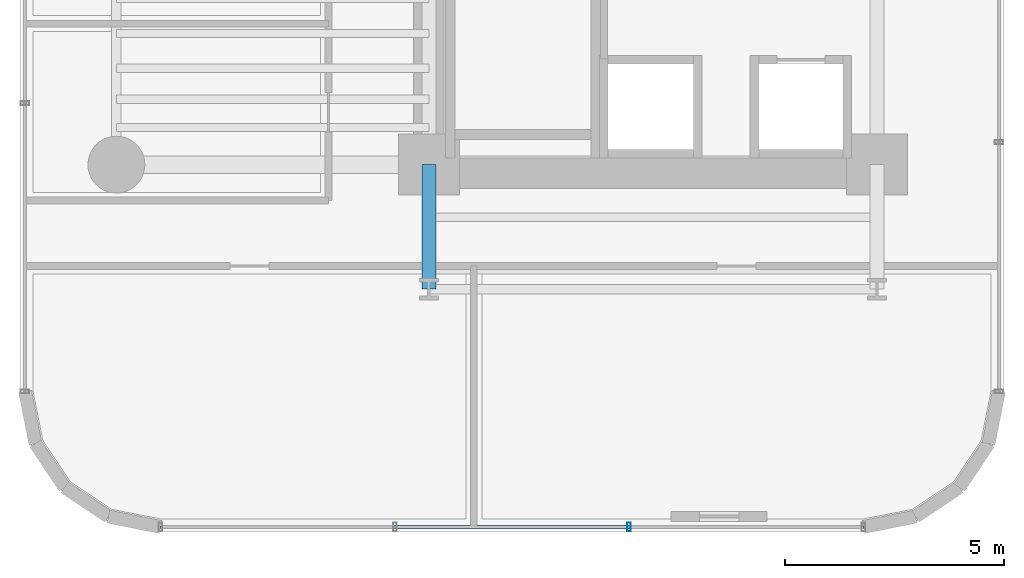
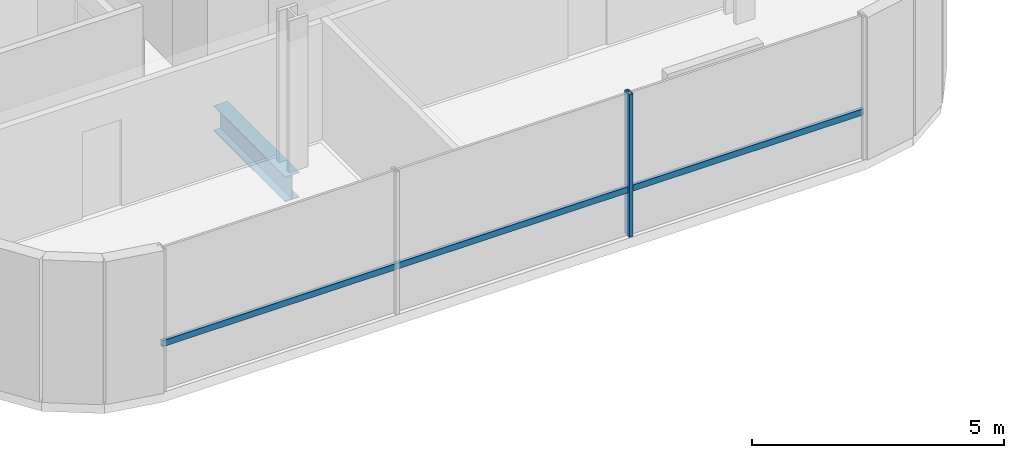
# One storey, part 3 of 38: 2 members, 1 beam, 1 element without a shape of its own.
"""IFC4 building model written with IfcOpenShell, lengths in metres."""

from ifc_helpers import new_model, si_unit, direction, frame, origin, origin_2d, place, context, subcontext, project, spatial, hollow_rectangle, i_section, extrude, source, transform, mapped, material, material_profile, profile_set, type_object, element, aggregate, save


model = new_model("IFC4")

# Units and contexts
model_context = context("Model", 3, precision=1e-05, world=origin(), true_north=direction((0.0, 1.0)))
body_context = subcontext(model_context, "Body", "Model", "MODEL_VIEW")
ifc_project = project(units=[si_unit("LENGTHUNIT", "METRE"), si_unit("AREAUNIT", "SQUARE_METRE"), si_unit("VOLUMEUNIT", "CUBIC_METRE"), si_unit("PLANEANGLEUNIT", "RADIAN"), si_unit("MASSUNIT", "GRAM", prefix="KILO")], contexts=[model_context])

# Site, building, storey
site_placement = place(None, origin())
site = spatial("IfcSite", under=ifc_project, at=site_placement, CompositionType="ELEMENT")
building_placement = place(site_placement, origin())
building = spatial("IfcBuilding", under=site, at=building_placement, Name="Valdorenza Pilgrim Sanctuary Tower", CompositionType="ELEMENT")
storey_placement = place(building_placement, frame((0.0, 0.0, 37.10009765625)))
storey = spatial("IfcBuildingStorey", under=building, at=storey_placement, Name="L08", CompositionType="ELEMENT", Elevation=37.10009765625)

# Beam
ifc_material_1 = material(Name="Steel ASTM A992 Grade 50", Category="steel")
ifc_material_profile_1 = material_profile(ifc_material_1, i_section(OverallWidth=0.323974609375, OverallDepth=0.611083984375, WebThickness=0.0126953125, FlangeThickness=0.01904296875, at=origin_2d()), Name="W24X104")
ifc_profile_set_1 = profile_set([ifc_material_profile_1], Name="Steel ASTM A992 Grade 50")
beam_type = type_object("IfcBeamType", Name="STR-BM-GRD-W24B", PredefinedType="BEAM", material=ifc_profile_set_1)
shared_shape_1 = source(origin(), body_context, "Body", "SweptSolid", [
    extrude(i_section(OverallWidth=0.323974609375, OverallDepth=0.611083984375, WebThickness=0.0126953125, FlangeThickness=0.01904296875, at=origin_2d()), origin(), (0.0, 0.0, 1.0), 2.849853515625),
])
beam_placement = place(storey_placement, frame((-22.64990234375, -13.449951171875, -0.545654296875), z_axis=(0.0, 1.0, 0.0), x_axis=(-1.0, 0.0, 0.0)))
element("IfcBeam", 1, at=beam_placement, inside=storey, type_object=beam_type, Name="L08 Floor Girder WA-S-LW", PredefinedType="BEAM", context=body_context, shape_type="MappedRepresentation", body=[
    mapped(shared_shape_1, transform((0.0, 0.0, 0.0), x_axis=(1.0, 0.0, 0.0), y_axis=(0.0, 1.0, 0.0), z_axis=(0.0, 0.0, 1.0), scale=1.0)),
])

# Curtain wall, members
ifc_material_2 = material(Name="Curtain-wall IGU glazing", Category="glass")
curtain_wall_type = type_object("IfcCurtainWallType", Name="CW-SYS-02", PredefinedType="NOTDEFINED", material=ifc_material_2)
curtain_wall_placement = place(storey_placement, origin())
curtain_wall = element("IfcCurtainWall", 2, at=curtain_wall_placement, inside=storey, type_object=curtain_wall_type, Name="L08 Curtain Wall CW-L08-1-46", PredefinedType="NOTDEFINED")
ifc_material_3 = material(Name="Anodised aluminium AW-6060", Category="aluminium")
ifc_material_profile_2 = material_profile(ifc_material_3, hollow_rectangle(XDim=0.0849609375, YDim=0.199951171875, WallThickness=0.0048828125, at=origin_2d()), Name="ALU-M 200x85x5")
ifc_profile_set_2 = profile_set([ifc_material_profile_2], Name="Anodised aluminium AW-6060")
member_type_1 = type_object("IfcMemberType", Name="CW-MUL-02", PredefinedType="MULLION", material=ifc_profile_set_2)
shared_shape_2 = source(origin(), body_context, "Body", "SweptSolid", [
    extrude(hollow_rectangle(XDim=0.0849609375, YDim=0.199951171875, WallThickness=0.0048828125, at=origin_2d()), origin(), (0.0, 0.0, 1.0), 3.4599609375),
])
member_1_placement = place(storey_placement, frame((-18.0703125, -18.889892578125, 0.0), z_axis=(0.0, 0.0, 1.0), x_axis=(-1.0, 0.0, 0.0)))
member_1 = element("IfcMember", 3, at=member_1_placement, type_object=member_type_1, Name="CW-L08-1-46 Mullion 2", PredefinedType="MULLION", context=body_context, shape_type="MappedRepresentation", body=[
    mapped(shared_shape_2, transform((0.0, 0.0, 0.0), x_axis=(1.0, 0.0, 0.0), y_axis=(0.0, 1.0, 0.0), z_axis=(0.0, 0.0, 1.0), scale=1.0)),
])
ifc_material_profile_3 = material_profile(ifc_material_3, hollow_rectangle(XDim=0.074951171875, YDim=0.14990234375, WallThickness=0.00390625, at=origin_2d()), Name="ALU-T 150x75x4")
ifc_profile_set_3 = profile_set([ifc_material_profile_3], Name="Anodised aluminium AW-6060")
member_type_2 = type_object("IfcMemberType", Name="CW-TRN-02", PredefinedType="USERDEFINED", material=ifc_profile_set_3)
shared_shape_3 = source(origin(), body_context, "Body", "SweptSolid", [
    extrude(hollow_rectangle(XDim=0.074951171875, YDim=0.14990234375, WallThickness=0.00390625, at=origin_2d()), origin(), (0.0, 0.0, 1.0), 16.07861328125),
])
member_2_placement = place(storey_placement, frame((-12.710693359375, -18.889892578125, 1.119873046875), z_axis=(-1.0, 0.0, 0.0), x_axis=(0.0, -1.0, 0.0)))
member_2 = element("IfcMember", 4, at=member_2_placement, type_object=member_type_2, Name="CW-L08-1-46 Transom 1", ObjectType="TRANSOM", PredefinedType="USERDEFINED", context=body_context, shape_type="MappedRepresentation", body=[
    mapped(shared_shape_3, transform((0.0, 0.0, 0.0), x_axis=(1.0, 0.0, 0.0), y_axis=(0.0, 1.0, 0.0), z_axis=(0.0, 0.0, 1.0), scale=1.0)),
])
aggregate(curtain_wall, [member_1, member_2])

save(model, "model.ifc")
